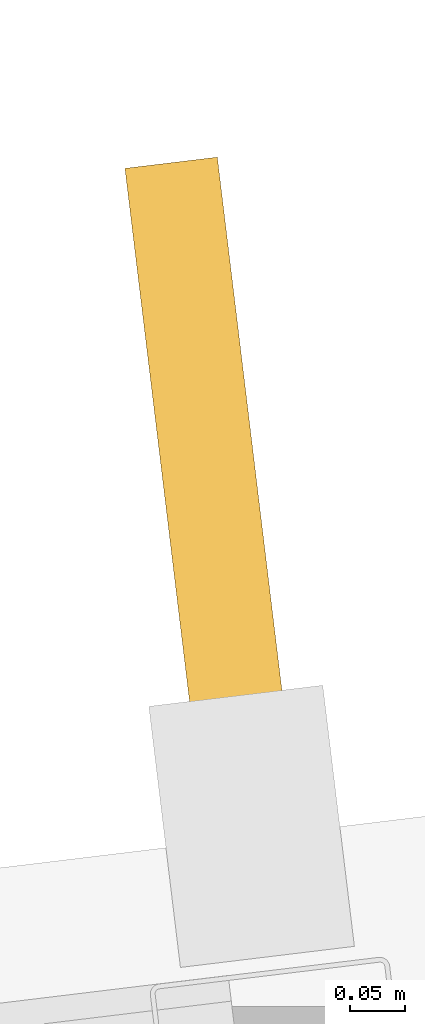
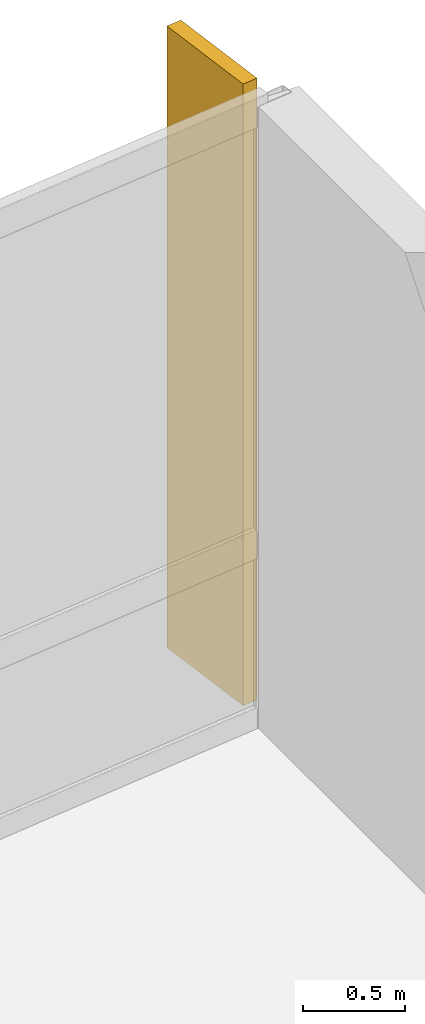
# One storey, part 16 of 16: 1 shading device.
"""IFC4 building model written with IfcOpenShell, lengths in metres."""

from ifc_helpers import new_model, si_unit, direction, frame, origin, origin_2d, place, context, subcontext, project, spatial, rectangle, extrude, material, layer, layer_set, type_object, element, save


model = new_model("IFC4")

# Units and contexts
model_context = context("Model", 3, precision=1e-05, world=origin(), true_north=direction((0.0, 1.0)))
body_context = subcontext(model_context, "Body", "Model", "MODEL_VIEW")
ifc_project = project(units=[si_unit("LENGTHUNIT", "METRE"), si_unit("AREAUNIT", "SQUARE_METRE"), si_unit("VOLUMEUNIT", "CUBIC_METRE"), si_unit("PLANEANGLEUNIT", "RADIAN"), si_unit("MASSUNIT", "GRAM", prefix="KILO")], contexts=[model_context])

# Site, building, storey
site_placement = place(None, origin())
site = spatial("IfcSite", under=ifc_project, at=site_placement, CompositionType="ELEMENT")
building_placement = place(site_placement, origin())
building = spatial("IfcBuilding", under=site, at=building_placement, Name="Varnakote Quay Hospital", CompositionType="ELEMENT")
storey_placement = place(building_placement, frame((0.0, 0.0, 166.550048828125)))
storey = spatial("IfcBuildingStorey", under=building, at=storey_placement, Name="L41", CompositionType="ELEMENT", Elevation=166.550048828125)

# Shading device
ifc_material = material(Name="Anodised aluminium 6063-T6 Bronze", Category="aluminium")
ifc_layer = layer(ifc_material, 0.0849609375)
ifc_layer_set = layer_set([ifc_layer], Name="Anodised aluminium 6063-T6 Bronze")
shading_device_type = type_object("IfcShadingDeviceType", Name="SHD-BRONZE-FIN-620", PredefinedType="USERDEFINED", material=ifc_layer_set)
shading_device_placement = place(storey_placement, frame((53.9462890625, 33.381591796875, 0.0), z_axis=(0.0, 0.0, 1.0), x_axis=(0.120310105847, -0.992736358975, 0.0)))
element("IfcShadingDevice", 1, at=shading_device_placement, inside=storey, type_object=shading_device_type, Name="L41 Anodised Bronze Vertical Shading FIN", ObjectType="FIN", PredefinedType="USERDEFINED", context=body_context, shape_type="SweptSolid", body=[
    extrude(rectangle(XDim=0.6201171875, YDim=0.0849609375, at=origin_2d()), origin(), (0.0, 0.0, 1.0), 3.7099609375),
])

save(model, "model.ifc")
